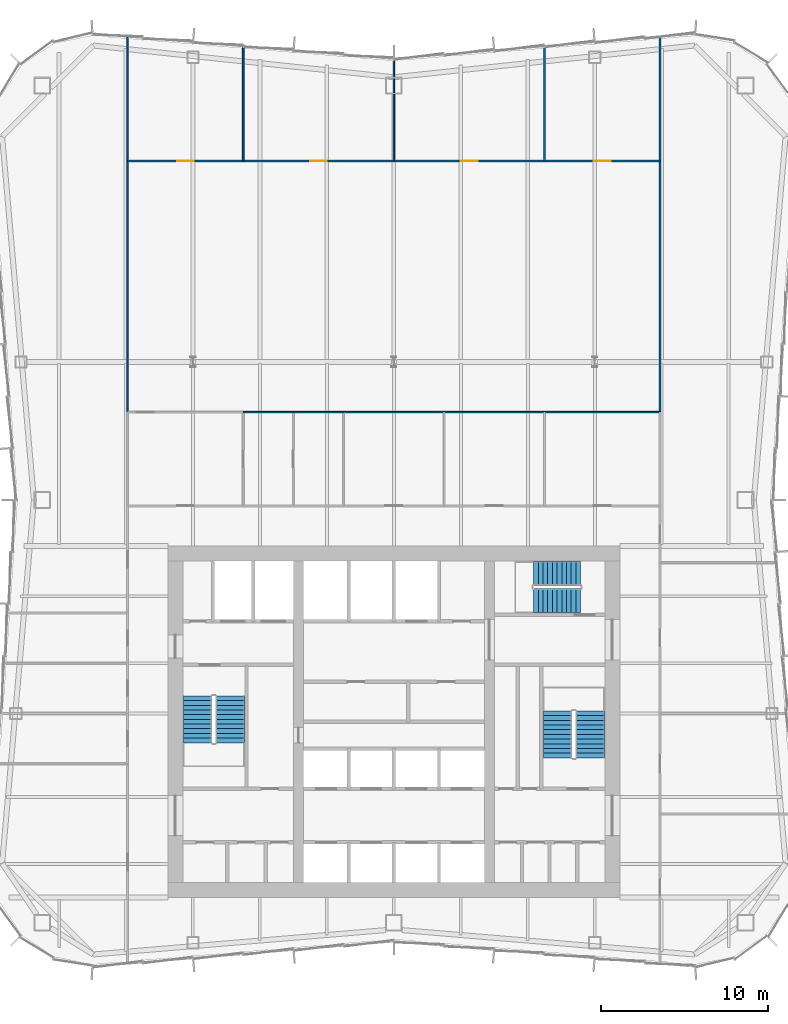
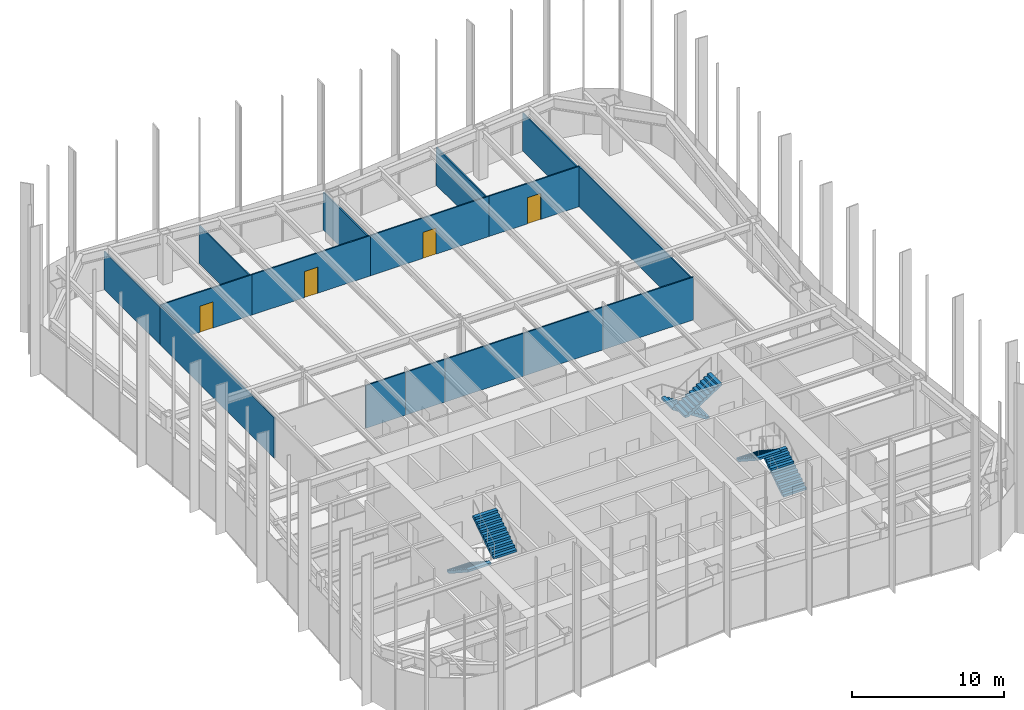
# One storey, part 12 of 13: 16 walls, 6 stair flights, 4 doors, 4 openings, 3 elements without a shape of their own.
"""IFC4 building model written with IfcOpenShell, lengths in metres."""

import ifcopenshell
import ifcopenshell.guid

model = None  # the IFC model being written
_history = None  # IfcOwnerHistory: only IFC2X3 demands one
_inside = {}  # id of a spatial element -> (the spatial element, [elements in it])
_under = {}  # id of a project, library or spatial element -> (it, [spatial elements below it])
_declared = {}  # id of a project -> (the project, [libraries it declares])
_typed = {}  # id of a type object -> (the type object, [elements of that type])
_made_of = {}  # id of a material, layer set ... -> (it, [elements and type objects made of it])


def new_model(schema):
    """Start an empty IFC model of exactly this schema.

    Asked for "IFC4X3", IfcOpenShell would pick the latest addendum, in which some entities
    have other attributes; the version numbers below select the first issue.
    IFC2X3 requires an IfcOwnerHistory on every rooted entity: one is made here for all.
    """
    global model, _history
    if schema == "IFC4X3":
        model = ifcopenshell.file(schema_version=(4, 3, 0, 0))
    else:
        model = ifcopenshell.file(schema=schema)
    _inside.clear()
    _under.clear()
    _declared.clear()
    _typed.clear()
    _made_of.clear()
    _history = None
    if model.schema == "IFC2X3":
        org = make("IfcOrganization", Name="unknown")
        user = make(
            "IfcPersonAndOrganization",
            ThePerson=make("IfcPerson", FamilyName="unknown"),
            TheOrganization=org,
        )
        app = make(
            "IfcApplication",
            ApplicationDeveloper=org,
            Version="unknown",
            ApplicationFullName="unknown",
            ApplicationIdentifier="unknown",
        )
        _history = make(
            "IfcOwnerHistory",
            OwningUser=user,
            OwningApplication=app,
            ChangeAction="ADDED",
            CreationDate=0,
        )
    return model


def make(cls, **values):
    """One entity of the class cls with the attributes given. An attribute that is None is left unset."""
    return model.create_entity(
        cls, **{name: value for name, value in values.items() if value is not None}
    )


def rooted(cls, **values):
    """An entity with a GlobalId (a new one), such as an element, a storey or a relation."""
    return make(cls, GlobalId=ifcopenshell.guid.new(), OwnerHistory=_history, **values)


def si_unit(unit_type, name, prefix=None):
    """IfcSIUnit, for example si_unit("LENGTHUNIT", "METRE", prefix="MILLI")."""
    return make("IfcSIUnit", UnitType=unit_type, Prefix=prefix, Name=name)


def assignment(units):
    """IfcUnitAssignment: the units of a project."""
    return None if units is None else make("IfcUnitAssignment", Units=units)


def point(xyz):
    """IfcCartesianPoint."""
    return None if xyz is None else make("IfcCartesianPoint", Coordinates=xyz)


def direction(xyz):
    """IfcDirection."""
    return None if xyz is None else make("IfcDirection", DirectionRatios=xyz)


def frame(location, z_axis=None, x_axis=None):
    """IfcAxis2Placement3D, a coordinate frame: its origin and axes. An axis left out is left unset."""
    return make(
        "IfcAxis2Placement3D",
        Location=point(location),
        Axis=direction(z_axis),
        RefDirection=direction(x_axis),
    )


def frame_2d(location, x_axis=None):
    """IfcAxis2Placement2D, a coordinate frame in the plane: its origin and x axis."""
    return make(
        "IfcAxis2Placement2D", Location=point(location), RefDirection=direction(x_axis)
    )


def origin():
    """The frame at (0, 0, 0) with its axes left unset."""
    return frame((0.0, 0.0, 0.0))


def place(relative_to, where):
    """IfcLocalPlacement: puts the frame where relative to a parent placement (None: the world)."""
    return make(
        "IfcLocalPlacement", PlacementRelTo=relative_to, RelativePlacement=where
    )


def context(
    kind, dimensions, precision=None, world=None, true_north=None, identifier=None
):
    """IfcGeometricRepresentationContext, for example the 3D "Model" context."""
    return make(
        "IfcGeometricRepresentationContext",
        ContextIdentifier=identifier,
        ContextType=kind,
        CoordinateSpaceDimension=dimensions,
        Precision=precision,
        WorldCoordinateSystem=world,
        TrueNorth=true_north,
    )


def subcontext(parent, identifier, kind, view, scale=None):
    """IfcGeometricRepresentationSubContext, for example "Body" below "Model"."""
    return make(
        "IfcGeometricRepresentationSubContext",
        ContextIdentifier=identifier,
        ContextType=kind,
        ParentContext=parent,
        TargetScale=scale,
        TargetView=view,
    )


def project(units=None, contexts=None):
    """IfcProject with its units and contexts."""
    return rooted(
        "IfcProject",
        Name="project",
        RepresentationContexts=contexts,
        UnitsInContext=assignment(units),
    )


def spatial(cls, under=None, at=None, **own):
    """A site, building, storey or space (cls), placed at a placement, below another one or the project."""
    s = rooted(cls, ObjectPlacement=at, **own)
    if under is not None:
        _under.setdefault(under.id(), (under, []))[1].append(s)
    return s


def polyline(points):
    """IfcPolyline through the points."""
    return make("IfcPolyline", Points=[point(p) for p in points])


def profile(cls, at=None, kind="AREA", **sizes):
    """A parametric profile (cls). Its sizes go by their IFC names, for example OverallWidth=200.0."""
    return make(cls, ProfileType=kind, Position=at, **sizes)


def rectangle(**sizes):
    """IfcRectangleProfileDef."""
    return profile("IfcRectangleProfileDef", **sizes)


def outline(outer, holes=None, kind="AREA"):
    """IfcArbitraryClosedProfileDef: a profile drawn as a closed curve; with holes, ...WithVoids."""
    if holes is None:
        return make("IfcArbitraryClosedProfileDef", ProfileType=kind, OuterCurve=outer)
    return make(
        "IfcArbitraryProfileDefWithVoids",
        ProfileType=kind,
        OuterCurve=outer,
        InnerCurves=holes,
    )


def extrude(swept, where, along, depth):
    """IfcExtrudedAreaSolid: the profile swept, set in the frame where, extruded along a direction by depth."""
    return make(
        "IfcExtrudedAreaSolid",
        SweptArea=swept,
        Position=where,
        ExtrudedDirection=direction(along),
        Depth=depth,
    )


def shape(context_of_items, identifier, shape_type, items):
    """IfcShapeRepresentation: the items that make up one representation, for example the "Body"."""
    return make(
        "IfcShapeRepresentation",
        ContextOfItems=context_of_items,
        RepresentationIdentifier=identifier,
        RepresentationType=shape_type,
        Items=items,
    )


def material(Name=None, Category=None):
    """IfcMaterial."""
    return make("IfcMaterial", Name=Name, Category=Category)


def layer(
    of_material, thickness, ventilated=None, Name=None, Category=None, Priority=None
):
    """IfcMaterialLayer: one layer of a wall or slab, of a material (None: an air gap)."""
    return make(
        "IfcMaterialLayer",
        Material=of_material,
        LayerThickness=thickness,
        IsVentilated=ventilated,
        Name=Name,
        Category=Category,
        Priority=Priority,
    )


def layer_set(layers, Name=None):
    """IfcMaterialLayerSet."""
    return make("IfcMaterialLayerSet", MaterialLayers=layers, LayerSetName=Name)


def made_of(thing, what):
    """Note that an element or type object is made of a material, layer set ...; save() writes the relation."""
    if what is not None:
        _made_of.setdefault(what.id(), (what, []))[1].append(thing)
    return thing


def type_object(cls, material=None, **own):
    """A type object (cls), such as IfcWallType, which elements share."""
    return made_of(rooted(cls, **own), material)


def element(
    cls,
    number,
    at=None,
    inside=None,
    cuts=None,
    type_object=None,
    material=None,
    context=None,
    identifier="Body",
    shape_type=None,
    held_by="IfcProductDefinitionShape",
    body=None,
    shapes=None,
    **own,
):
    """One element of the class cls, such as IfcWall. Its Tag is "e" and its number.

    at: its placement. inside: the storey or other place that contains it. cuts: it is an
    opening in that element (IfcRelVoidsElement). A single representation is given by context,
    identifier, shape_type and body (its items); several are given by shapes. held_by: the class
    of the entity that holds the representations. save() writes the other relations.
    """
    e = rooted(cls, Tag="e%d" % number, ObjectPlacement=at, **own)
    if body is not None:
        shapes = [shape(context, identifier, shape_type, body)]
    if shapes is not None:
        e.Representation = make(held_by, Representations=shapes)
    if inside is not None:
        _inside.setdefault(inside.id(), (inside, []))[1].append(e)
    if cuts is not None:
        rooted(
            "IfcRelVoidsElement", RelatingBuildingElement=cuts, RelatedOpeningElement=e
        )
    if type_object is not None:
        _typed.setdefault(type_object.id(), (type_object, []))[1].append(e)
    return made_of(e, material)


def fill(opening, filler):
    """IfcRelFillsElement: the door or window that sits in an opening."""
    return rooted(
        "IfcRelFillsElement",
        RelatingOpeningElement=opening,
        RelatedBuildingElement=filler,
    )


def aggregate(whole, parts):
    """IfcRelAggregates: a whole, such as a stair, and the parts it consists of."""
    return rooted("IfcRelAggregates", RelatingObject=whole, RelatedObjects=parts)


def save(model, path):
    """Write the relations noted so far, then the file.

    IfcRelAggregates (storeys below a building ...), IfcRelContainedInSpatialStructure (elements
    in a storey), IfcRelDefinesByType, IfcRelAssociatesMaterial and IfcRelDeclares: one each for
    every whole, place, type object, material and project.
    """
    for whole, parts in _under.values():
        aggregate(whole, parts)
    for where, things in _inside.values():
        rooted(
            "IfcRelContainedInSpatialStructure",
            RelatedElements=things,
            RelatingStructure=where,
        )
    for kind, things in _typed.values():
        rooted("IfcRelDefinesByType", RelatedObjects=things, RelatingType=kind)
    for what, things in _made_of.values():
        rooted("IfcRelAssociatesMaterial", RelatedObjects=things, RelatingMaterial=what)
    for by, libraries in _declared.values():
        rooted("IfcRelDeclares", RelatingContext=by, RelatedDefinitions=libraries)
    model.write(path)


model = new_model("IFC4")

# Units and contexts
model_context = context("Model", 3, precision=1e-05, world=origin(), true_north=direction((0.0, 1.0)))
body_context = subcontext(model_context, "Body", "Model", "MODEL_VIEW")
ifc_project = project(units=[si_unit("LENGTHUNIT", "METRE"), si_unit("AREAUNIT", "SQUARE_METRE"), si_unit("VOLUMEUNIT", "CUBIC_METRE"), si_unit("PLANEANGLEUNIT", "RADIAN"), si_unit("MASSUNIT", "GRAM", prefix="KILO")], contexts=[model_context])

# Site, building, storey
site_placement = place(None, origin())
site = spatial("IfcSite", under=ifc_project, at=site_placement, CompositionType="ELEMENT")
building_placement = place(site_placement, origin())
building = spatial("IfcBuilding", under=site, at=building_placement, Name="Verdant Reach Tower", CompositionType="ELEMENT")
storey_placement = place(building_placement, frame((0.0, 0.0, 194.0)))
storey = spatial("IfcBuildingStorey", under=building, at=storey_placement, Name="L44", CompositionType="ELEMENT", Elevation=194.0)

# Walls
ifc_material_1 = material(Name="Gypsum board on steel studs", Category="steel")
ifc_layer = layer(ifc_material_1, 0.10009765625)
ifc_layer_set = layer_set([ifc_layer], Name="FL-W1 Partition 100")
wall_type = type_object("IfcWallType", Name="FL-W1 Partition 100", PredefinedType="PARTITIONING", material=ifc_layer_set)
for number, where, z_axis, x_axis, name in (
    (1, (-5.99609375, 46.5, 0.0), (0.0, 0.0, 1.0), (-1.0, 0.0, 0.0), "Partition 44.20"),
    (2, (-2.99609375, 46.5, 0.0), (0.0, 0.0, 1.0), (-1.0, 0.0, 0.0), "Partition 44.22"),
):
    element("IfcWall", number, at=place(storey_placement, frame(where, z_axis=z_axis, x_axis=x_axis)), inside=storey, type_object=wall_type, Name=name, PredefinedType="PARTITIONING", context=body_context, shape_type="SweptSolid", body=[
        extrude(rectangle(XDim=3.0078125, YDim=0.10009765625, at=frame_2d((1.50390625, 0.0))), origin(), (0.0, 0.0, 1.0), 3.43994140625),
    ])
for number, where, z_axis, x_axis, name in (
    (3, (3.00390625, 46.5, 0.0), (0.0, 0.0, 1.0), (-1.0, 0.0, 0.0), "Partition 44.24"),
    (4, (9.00390625, 46.5, 0.0), (0.0, 0.0, 1.0), (-1.0, 0.0, 0.0), "Partition 44.26"),
):
    element("IfcWall", number, at=place(storey_placement, frame(where, z_axis=z_axis, x_axis=x_axis)), inside=storey, type_object=wall_type, Name=name, PredefinedType="PARTITIONING", context=body_context, shape_type="SweptSolid", body=[
        extrude(rectangle(XDim=6.0078125, YDim=0.10009765625, at=frame_2d((3.00390625, 0.0))), origin(), (0.0, 0.0, 1.0), 3.43994140625),
    ])
wall_1_placement = place(storey_placement, frame((15.89990234375, 46.5, 0.0), z_axis=(0.0, 0.0, 1.0), x_axis=(-1.0, 0.0, 0.0)))
element("IfcWall", 5, at=wall_1_placement, inside=storey, type_object=wall_type, Name="Partition 44.27", PredefinedType="PARTITIONING", context=body_context, shape_type="SweptSolid", body=[
    extrude(rectangle(XDim=6.90380859375, YDim=0.10009765625, at=frame_2d((3.451904296875, 0.0))), origin(), (0.0, 0.0, 1.0), 3.43994140625),
])

# Wall, opening, door
wall_2_placement = place(storey_placement, frame((-15.89990234375, 61.5, 0.0), z_axis=(0.0, 0.0, 1.0), x_axis=(1.0, 0.0, 0.0)))
wall_2 = element("IfcWall", 6, at=wall_2_placement, inside=storey, type_object=wall_type, Name="Partition 44.29", PredefinedType="PARTITIONING", context=body_context, shape_type="SweptSolid", body=[
    extrude(rectangle(XDim=6.89990234375, YDim=0.10009765625, at=frame_2d((3.449951171875, 0.0))), origin(), (0.0, 0.0, 1.0), 3.239990234375),
])
opening_1_placement = place(wall_2_placement, frame((2.949951171875, 0.0, 0.0)))
opening_1 = element("IfcOpeningElement", 7, at=opening_1_placement, cuts=wall_2, Name="Opening D3", PredefinedType="OPENING", context=body_context, shape_type="SweptSolid", body=[
    extrude(rectangle(XDim=1.0, YDim=2.10009765625, at=frame_2d((0.5, 1.050048828125))), frame((0.0, 0.06005859375, 0.0), z_axis=(0.0, -1.0, 0.0), x_axis=(1.0, 0.0, 0.0)), (0.0, 0.0, 1.0), 0.1201171875),
])
ifc_material_2 = material(Name="Painted timber door leaf", Category="wood")
door_type = type_object("IfcDoorType", Name="FL-D3 Door 1000x2100", OperationType="NOTDEFINED", PredefinedType="DOOR", material=ifc_material_2)
door_1_placement = place(opening_1_placement, origin())
door_1 = element("IfcDoor", 8, at=door_1_placement, inside=storey, type_object=door_type, Name="Door 44-017", OperationType="SINGLE_SWING_LEFT", OverallHeight=2.10009765625, OverallWidth=1.0, PredefinedType="DOOR", context=body_context, shape_type="SweptSolid", body=[
    extrude(rectangle(XDim=1.0, YDim=2.10009765625, at=frame_2d((0.5, 1.050048828125))), frame((0.0, 0.02490234375, 0.0), z_axis=(0.0, -1.0, 0.0), x_axis=(1.0, 0.0, 0.0)), (0.0, 0.0, 1.0), 0.050048828125),
])
fill(opening_1, door_1)

wall_3_placement = place(storey_placement, frame((-9.0, 61.5, 0.0), z_axis=(0.0, 0.0, 1.0), x_axis=(1.0, 0.0, 0.0)))
wall_3 = element("IfcWall", 9, at=wall_3_placement, inside=storey, type_object=wall_type, Name="Partition 44.30", PredefinedType="PARTITIONING", context=body_context, shape_type="SweptSolid", body=[
    extrude(rectangle(XDim=9.0, YDim=0.10009765625, at=frame_2d((4.5, 0.0))), origin(), (0.0, 0.0, 1.0), 3.239990234375),
])
opening_2_placement = place(wall_3_placement, frame((4.0, 0.0, 0.0)))
opening_2 = element("IfcOpeningElement", 10, at=opening_2_placement, cuts=wall_3, Name="Opening D3", PredefinedType="OPENING", context=body_context, shape_type="SweptSolid", body=[
    extrude(rectangle(XDim=1.0, YDim=2.10009765625, at=frame_2d((0.5, 1.050048828125))), frame((0.0, 0.06005859375, 0.0), z_axis=(0.0, -1.0, 0.0), x_axis=(1.0, 0.0, 0.0)), (0.0, 0.0, 1.0), 0.1201171875),
])
door_2_placement = place(opening_2_placement, origin())
door_2 = element("IfcDoor", 11, at=door_2_placement, inside=storey, type_object=door_type, Name="Door 44-018", OperationType="SINGLE_SWING_RIGHT", OverallHeight=2.10009765625, OverallWidth=1.0, PredefinedType="DOOR", context=body_context, shape_type="SweptSolid", body=[
    extrude(rectangle(XDim=1.0, YDim=2.10009765625, at=frame_2d((0.5, 1.050048828125))), frame((0.0, 0.02490234375, 0.0), z_axis=(0.0, -1.0, 0.0), x_axis=(1.0, 0.0, 0.0)), (0.0, 0.0, 1.0), 0.050048828125),
])
fill(opening_2, door_2)

wall_4_placement = place(storey_placement, frame((0.0, 61.5, 0.0), z_axis=(0.0, 0.0, 1.0), x_axis=(1.0, 0.0, 0.0)))
wall_4 = element("IfcWall", 12, at=wall_4_placement, inside=storey, type_object=wall_type, Name="Partition 44.31", PredefinedType="PARTITIONING", context=body_context, shape_type="SweptSolid", body=[
    extrude(rectangle(XDim=9.0, YDim=0.10009765625, at=frame_2d((4.5, 0.0))), origin(), (0.0, 0.0, 1.0), 3.239990234375),
])
opening_3_placement = place(wall_4_placement, frame((4.0, 0.0, 0.0)))
opening_3 = element("IfcOpeningElement", 13, at=opening_3_placement, cuts=wall_4, Name="Opening D3", PredefinedType="OPENING", context=body_context, shape_type="SweptSolid", body=[
    extrude(rectangle(XDim=1.0, YDim=2.10009765625, at=frame_2d((0.5, 1.050048828125))), frame((0.0, 0.06005859375, 0.0), z_axis=(0.0, -1.0, 0.0), x_axis=(1.0, 0.0, 0.0)), (0.0, 0.0, 1.0), 0.1201171875),
])
door_3_placement = place(opening_3_placement, origin())
door_3 = element("IfcDoor", 14, at=door_3_placement, inside=storey, type_object=door_type, Name="Door 44-019", OperationType="SINGLE_SWING_LEFT", OverallHeight=2.10009765625, OverallWidth=1.0, PredefinedType="DOOR", context=body_context, shape_type="SweptSolid", body=[
    extrude(rectangle(XDim=1.0, YDim=2.10009765625, at=frame_2d((0.5, 1.050048828125))), frame((0.0, 0.02490234375, 0.0), z_axis=(0.0, -1.0, 0.0), x_axis=(1.0, 0.0, 0.0)), (0.0, 0.0, 1.0), 0.050048828125),
])
fill(opening_3, door_3)

wall_5_placement = place(storey_placement, frame((9.0, 61.5, 0.0), z_axis=(0.0, 0.0, 1.0), x_axis=(1.0, 0.0, 0.0)))
wall_5 = element("IfcWall", 15, at=wall_5_placement, inside=storey, type_object=wall_type, Name="Partition 44.32", PredefinedType="PARTITIONING", context=body_context, shape_type="SweptSolid", body=[
    extrude(rectangle(XDim=6.89990234375, YDim=0.10009765625, at=frame_2d((3.449951171875, 0.0))), origin(), (0.0, 0.0, 1.0), 3.239990234375),
])
opening_4_placement = place(wall_5_placement, frame((2.949951171875, 0.0, 0.0)))
opening_4 = element("IfcOpeningElement", 16, at=opening_4_placement, cuts=wall_5, Name="Opening D3", PredefinedType="OPENING", context=body_context, shape_type="SweptSolid", body=[
    extrude(rectangle(XDim=1.0, YDim=2.10009765625, at=frame_2d((0.5, 1.050048828125))), frame((0.0, 0.06005859375, 0.0), z_axis=(0.0, -1.0, 0.0), x_axis=(1.0, 0.0, 0.0)), (0.0, 0.0, 1.0), 0.1201171875),
])
door_4_placement = place(opening_4_placement, origin())
door_4 = element("IfcDoor", 17, at=door_4_placement, inside=storey, type_object=door_type, Name="Door 44-020", OperationType="SINGLE_SWING_RIGHT", OverallHeight=2.10009765625, OverallWidth=1.0, PredefinedType="DOOR", context=body_context, shape_type="SweptSolid", body=[
    extrude(rectangle(XDim=1.0, YDim=2.10009765625, at=frame_2d((0.5, 1.050048828125))), frame((0.0, 0.02490234375, 0.0), z_axis=(0.0, -1.0, 0.0), x_axis=(1.0, 0.0, 0.0)), (0.0, 0.0, 1.0), 0.050048828125),
])
fill(opening_4, door_4)

# Walls
for number, where, z_axis, x_axis, name in (
    (18, (-15.89990234375, 61.50390625, 0.0), (0.0, 0.0, 1.0), (0.0, -1.0, 0.0), "Partition 44.33"),
    (19, (15.89990234375, 46.49609375, 0.0), (0.0, 0.0, 1.0), (0.0, 1.0, 0.0), "Partition 44.34"),
):
    element("IfcWall", number, at=place(storey_placement, frame(where, z_axis=z_axis, x_axis=x_axis)), inside=storey, type_object=wall_type, Name=name, PredefinedType="PARTITIONING", context=body_context, shape_type="SweptSolid", body=[
        extrude(rectangle(XDim=15.0078125, YDim=0.10009765625, at=frame_2d((7.50390625, 0.0))), origin(), (0.0, 0.0, 1.0), 3.239990234375),
    ])
wall_6_placement = place(storey_placement, frame((-9.0, 61.5, 0.0), z_axis=(0.0, 0.0, 1.0), x_axis=(0.0, 1.0, 0.0)))
element("IfcWall", 20, at=wall_6_placement, inside=storey, type_object=wall_type, Name="Partition 44.35", PredefinedType="PARTITIONING", context=body_context, shape_type="SweptSolid", body=[
    extrude(rectangle(XDim=6.830078125, YDim=0.10009765625, at=frame_2d((3.4150390625, 0.0))), origin(), (0.0, 0.0, 1.0), 3.0400390625),
])
wall_7_placement = place(storey_placement, frame((-15.89990234375, 68.905029296875, 0.0), z_axis=(0.0, 0.0, 1.0), x_axis=(0.0, -1.0, 0.0)))
element("IfcWall", 21, at=wall_7_placement, inside=storey, type_object=wall_type, Name="Partition 44.36", PredefinedType="PARTITIONING", context=body_context, shape_type="SweptSolid", body=[
    extrude(rectangle(XDim=7.408935546875, YDim=0.10009765625, at=frame_2d((3.70458984375, 0.0))), origin(), (0.0, 0.0, 1.0), 3.0400390625),
])
wall_8_placement = place(storey_placement, frame((0.0, 61.5, 0.0), z_axis=(0.0, 0.0, 1.0), x_axis=(0.0, 1.0, 0.0)))
element("IfcWall", 22, at=wall_8_placement, inside=storey, type_object=wall_type, Name="Partition 44.37", PredefinedType="PARTITIONING", context=body_context, shape_type="SweptSolid", body=[
    extrude(rectangle(XDim=6.080078125, YDim=0.10009765625, at=frame_2d((3.0400390625, 0.0))), origin(), (0.0, 0.0, 1.0), 3.0400390625),
])
wall_9_placement = place(storey_placement, frame((9.0, 61.5, 0.0), z_axis=(0.0, 0.0, 1.0), x_axis=(0.0, 1.0, 0.0)))
element("IfcWall", 23, at=wall_9_placement, inside=storey, type_object=wall_type, Name="Partition 44.38", PredefinedType="PARTITIONING", context=body_context, shape_type="SweptSolid", body=[
    extrude(rectangle(XDim=6.830078125, YDim=0.10009765625, at=frame_2d((3.4150390625, 0.0))), origin(), (0.0, 0.0, 1.0), 3.0400390625),
])
wall_10_placement = place(storey_placement, frame((15.89990234375, 61.49609375, 0.0), z_axis=(0.0, 0.0, 1.0), x_axis=(0.0, 1.0, 0.0)))
element("IfcWall", 24, at=wall_10_placement, inside=storey, type_object=wall_type, Name="Partition 44.39", PredefinedType="PARTITIONING", context=body_context, shape_type="SweptSolid", body=[
    extrude(rectangle(XDim=7.408935546875, YDim=0.10009765625, at=frame_2d((3.70458984375, 0.0))), origin(), (0.0, 0.0, 1.0), 3.0400390625),
])

# Stair, stair flights
ifc_material_3 = material(Name="Concrete C40/50", Category="concrete")
stair_type = type_object("IfcStairType", Name="CO-STAIR", PredefinedType="HALF_TURN_STAIR", material=ifc_material_3)
stair_1_placement = place(storey_placement, origin())
stair_1 = element("IfcStair", 25, at=stair_1_placement, inside=storey, type_object=stair_type, Name="L44 Exit stair 1", PredefinedType="HALF_TURN_STAIR")
stair_flight_type = type_object("IfcStairFlightType", Name="CO-STAIR-FLIGHT", PredefinedType="STRAIGHT", material=ifc_material_3)
stair_flight_1_placement = place(storey_placement, frame((-11.72509765625, 29.550048828125, 0.0), z_axis=(0.0, 0.0, 1.0), x_axis=(0.0, -1.0, 0.0)))
stair_flight_1 = element("IfcStairFlight", 26, at=stair_flight_1_placement, type_object=stair_flight_type, Name="ST-1 flight 1", NumberOfRisers=11, NumberOfTreads=10, PredefinedType="STRAIGHT", RiserHeight=0.181818182, TreadLength=0.28, context=body_context, shape_type="SweptSolid", body=[
    extrude(outline(polyline([(0.0, 0.0), (0.0, 0.181884765625), (0.280029296875, 0.181884765625), (0.280029296875, 0.363525390625), (0.56005859375, 0.363525390625), (0.56005859375, 0.54541015625), (0.840087890625, 0.54541015625), (0.840087890625, 0.727294921875), (1.1201171875, 0.727294921875), (1.1201171875, 0.9091796875), (1.39990234375, 0.9091796875), (1.39990234375, 1.0908203125), (1.679931640625, 1.0908203125), (1.679931640625, 1.272705078125), (1.9599609375, 1.272705078125), (1.9599609375, 1.45458984375), (2.239990234375, 1.45458984375), (2.239990234375, 1.636474609375), (2.52001953125, 1.636474609375), (2.52001953125, 1.818115234375), (2.800048828125, 1.818115234375), (2.800048828125, 2.0), (2.800048828125, 1.639404296875), (0.275146484375, 0.0), (0.0, 0.0)])), frame((0.0, 0.875, 0.0), z_axis=(0.0, -1.0, 0.0), x_axis=(1.0, 0.0, 0.0)), (0.0, 0.0, 1.0), 1.75),
])
stair_flight_2_placement = place(storey_placement, frame((-9.77490234375, 26.75, 2.0), z_axis=(0.0, 0.0, 1.0), x_axis=(0.0, 1.0, 0.0)))
stair_flight_2 = element("IfcStairFlight", 27, at=stair_flight_2_placement, type_object=stair_flight_type, Name="ST-1 flight 2", NumberOfRisers=11, NumberOfTreads=10, PredefinedType="STRAIGHT", RiserHeight=0.181818182, TreadLength=0.28, context=body_context, shape_type="SweptSolid", body=[
    extrude(outline(polyline([(0.0, 0.0), (0.0, 0.181884765625), (0.280029296875, 0.181884765625), (0.280029296875, 0.363525390625), (0.56005859375, 0.363525390625), (0.56005859375, 0.54541015625), (0.840087890625, 0.54541015625), (0.840087890625, 0.727294921875), (1.1201171875, 0.727294921875), (1.1201171875, 0.9091796875), (1.39990234375, 0.9091796875), (1.39990234375, 1.0908203125), (1.679931640625, 1.0908203125), (1.679931640625, 1.272705078125), (1.9599609375, 1.272705078125), (1.9599609375, 1.45458984375), (2.239990234375, 1.45458984375), (2.239990234375, 1.636474609375), (2.52001953125, 1.636474609375), (2.52001953125, 1.818115234375), (2.800048828125, 1.818115234375), (2.800048828125, 2.0), (2.800048828125, 1.639404296875), (0.275146484375, 0.0), (0.0, 0.0)])), frame((0.0, 0.875, 0.0), z_axis=(0.0, -1.0, 0.0), x_axis=(1.0, 0.0, 0.0)), (0.0, 0.0, 1.0), 1.75),
])
aggregate(stair_1, [stair_flight_1, stair_flight_2])

stair_2_placement = place(storey_placement, origin())
stair_2 = element("IfcStair", 28, at=stair_2_placement, inside=storey, type_object=stair_type, Name="L44 Exit stair 2", PredefinedType="HALF_TURN_STAIR")
stair_flight_3_placement = place(storey_placement, frame((11.72509765625, 25.85009765625, 0.0), z_axis=(0.0, 0.0, 1.0), x_axis=(0.0, 1.0, 0.0)))
stair_flight_3 = element("IfcStairFlight", 29, at=stair_flight_3_placement, type_object=stair_flight_type, Name="ST-2 flight 1", NumberOfRisers=11, NumberOfTreads=10, PredefinedType="STRAIGHT", RiserHeight=0.181818182, TreadLength=0.28, context=body_context, shape_type="SweptSolid", body=[
    extrude(outline(polyline([(0.0, 0.0), (0.0, 0.181884765625), (0.280029296875, 0.181884765625), (0.280029296875, 0.363525390625), (0.56005859375, 0.363525390625), (0.56005859375, 0.54541015625), (0.840087890625, 0.54541015625), (0.840087890625, 0.727294921875), (1.1201171875, 0.727294921875), (1.1201171875, 0.9091796875), (1.39990234375, 0.9091796875), (1.39990234375, 1.0908203125), (1.679931640625, 1.0908203125), (1.679931640625, 1.272705078125), (1.9599609375, 1.272705078125), (1.9599609375, 1.45458984375), (2.239990234375, 1.45458984375), (2.239990234375, 1.636474609375), (2.52001953125, 1.636474609375), (2.52001953125, 1.818115234375), (2.800048828125, 1.818115234375), (2.800048828125, 2.0), (2.800048828125, 1.639404296875), (0.275146484375, 0.0), (0.0, 0.0)])), frame((0.0, 0.875, 0.0), z_axis=(0.0, -1.0, 0.0), x_axis=(1.0, 0.0, 0.0)), (0.0, 0.0, 1.0), 1.75),
])
stair_flight_4_placement = place(storey_placement, frame((9.77490234375, 28.64990234375, 2.0), z_axis=(0.0, 0.0, 1.0), x_axis=(0.0, -1.0, 0.0)))
stair_flight_4 = element("IfcStairFlight", 30, at=stair_flight_4_placement, type_object=stair_flight_type, Name="ST-2 flight 2", NumberOfRisers=11, NumberOfTreads=10, PredefinedType="STRAIGHT", RiserHeight=0.181818182, TreadLength=0.28, context=body_context, shape_type="SweptSolid", body=[
    extrude(outline(polyline([(0.0, 0.0), (0.0, 0.181884765625), (0.280029296875, 0.181884765625), (0.280029296875, 0.363525390625), (0.56005859375, 0.363525390625), (0.56005859375, 0.54541015625), (0.840087890625, 0.54541015625), (0.840087890625, 0.727294921875), (1.1201171875, 0.727294921875), (1.1201171875, 0.9091796875), (1.39990234375, 0.9091796875), (1.39990234375, 1.0908203125), (1.679931640625, 1.0908203125), (1.679931640625, 1.272705078125), (1.9599609375, 1.272705078125), (1.9599609375, 1.45458984375), (2.239990234375, 1.45458984375), (2.239990234375, 1.636474609375), (2.52001953125, 1.636474609375), (2.52001953125, 1.818115234375), (2.800048828125, 1.818115234375), (2.800048828125, 2.0), (2.800048828125, 1.639404296875), (0.275146484375, 0.0), (0.0, 0.0)])), frame((0.0, 0.875, 0.0), z_axis=(0.0, -1.0, 0.0), x_axis=(1.0, 0.0, 0.0)), (0.0, 0.0, 1.0), 1.75),
])
aggregate(stair_2, [stair_flight_3, stair_flight_4])

stair_3_placement = place(storey_placement, origin())
stair_3 = element("IfcStair", 31, at=stair_3_placement, inside=storey, type_object=stair_type, Name="L44 Exit stair 3", PredefinedType="HALF_TURN_STAIR")
stair_flight_5_placement = place(storey_placement, frame((11.14990234375, 36.875, 0.0), z_axis=(0.0, 0.0, 1.0), x_axis=(-1.0, 0.0, 0.0)))
stair_flight_5 = element("IfcStairFlight", 32, at=stair_flight_5_placement, type_object=stair_flight_type, Name="ST-3 flight 1", NumberOfRisers=11, NumberOfTreads=10, PredefinedType="STRAIGHT", RiserHeight=0.181818182, TreadLength=0.28, context=body_context, shape_type="SweptSolid", body=[
    extrude(outline(polyline([(0.0, 0.0), (0.0, 0.181884765625), (0.280029296875, 0.181884765625), (0.280029296875, 0.363525390625), (0.56005859375, 0.363525390625), (0.56005859375, 0.54541015625), (0.840087890625, 0.54541015625), (0.840087890625, 0.727294921875), (1.1201171875, 0.727294921875), (1.1201171875, 0.9091796875), (1.39990234375, 0.9091796875), (1.39990234375, 1.0908203125), (1.679931640625, 1.0908203125), (1.679931640625, 1.272705078125), (1.9599609375, 1.272705078125), (1.9599609375, 1.45458984375), (2.239990234375, 1.45458984375), (2.239990234375, 1.636474609375), (2.52001953125, 1.636474609375), (2.52001953125, 1.818115234375), (2.800048828125, 1.818115234375), (2.800048828125, 2.0), (2.800048828125, 1.639404296875), (0.275146484375, 0.0), (0.0, 0.0)])), frame((0.0, 0.72509765625, 0.0), z_axis=(0.0, -1.0, 0.0), x_axis=(1.0, 0.0, 0.0)), (0.0, 0.0, 1.0), 1.449951171875),
])
stair_flight_6_placement = place(storey_placement, frame((8.35009765625, 35.22509765625, 2.0), z_axis=(0.0, 0.0, 1.0), x_axis=(1.0, 0.0, 0.0)))
stair_flight_6 = element("IfcStairFlight", 33, at=stair_flight_6_placement, type_object=stair_flight_type, Name="ST-3 flight 2", NumberOfRisers=11, NumberOfTreads=10, PredefinedType="STRAIGHT", RiserHeight=0.181818182, TreadLength=0.28, context=body_context, shape_type="SweptSolid", body=[
    extrude(outline(polyline([(0.0, 0.0), (0.0, 0.181884765625), (0.280029296875, 0.181884765625), (0.280029296875, 0.363525390625), (0.56005859375, 0.363525390625), (0.56005859375, 0.54541015625), (0.840087890625, 0.54541015625), (0.840087890625, 0.727294921875), (1.1201171875, 0.727294921875), (1.1201171875, 0.9091796875), (1.39990234375, 0.9091796875), (1.39990234375, 1.0908203125), (1.679931640625, 1.0908203125), (1.679931640625, 1.272705078125), (1.9599609375, 1.272705078125), (1.9599609375, 1.45458984375), (2.239990234375, 1.45458984375), (2.239990234375, 1.636474609375), (2.52001953125, 1.636474609375), (2.52001953125, 1.818115234375), (2.800048828125, 1.818115234375), (2.800048828125, 2.0), (2.800048828125, 1.639404296875), (0.275146484375, 0.0), (0.0, 0.0)])), frame((0.0, 0.72509765625, 0.0), z_axis=(0.0, -1.0, 0.0), x_axis=(1.0, 0.0, 0.0)), (0.0, 0.0, 1.0), 1.449951171875),
])
aggregate(stair_3, [stair_flight_5, stair_flight_6])

save(model, "model.ifc")
